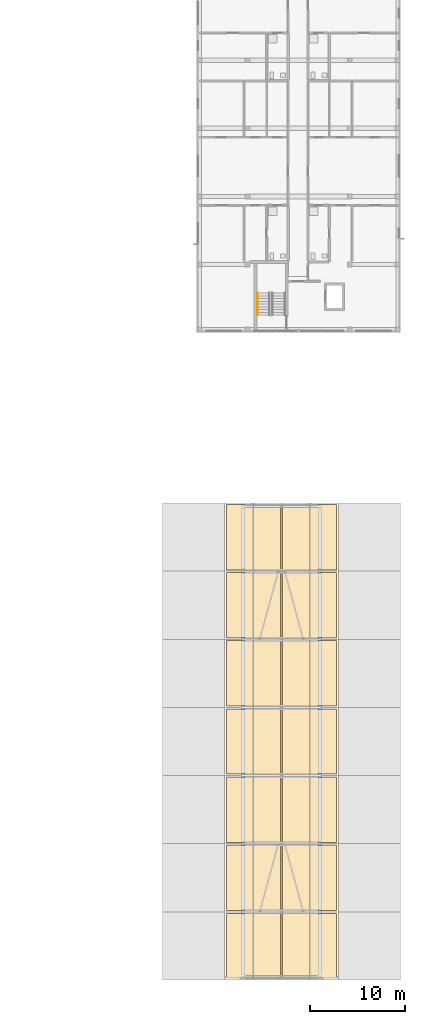
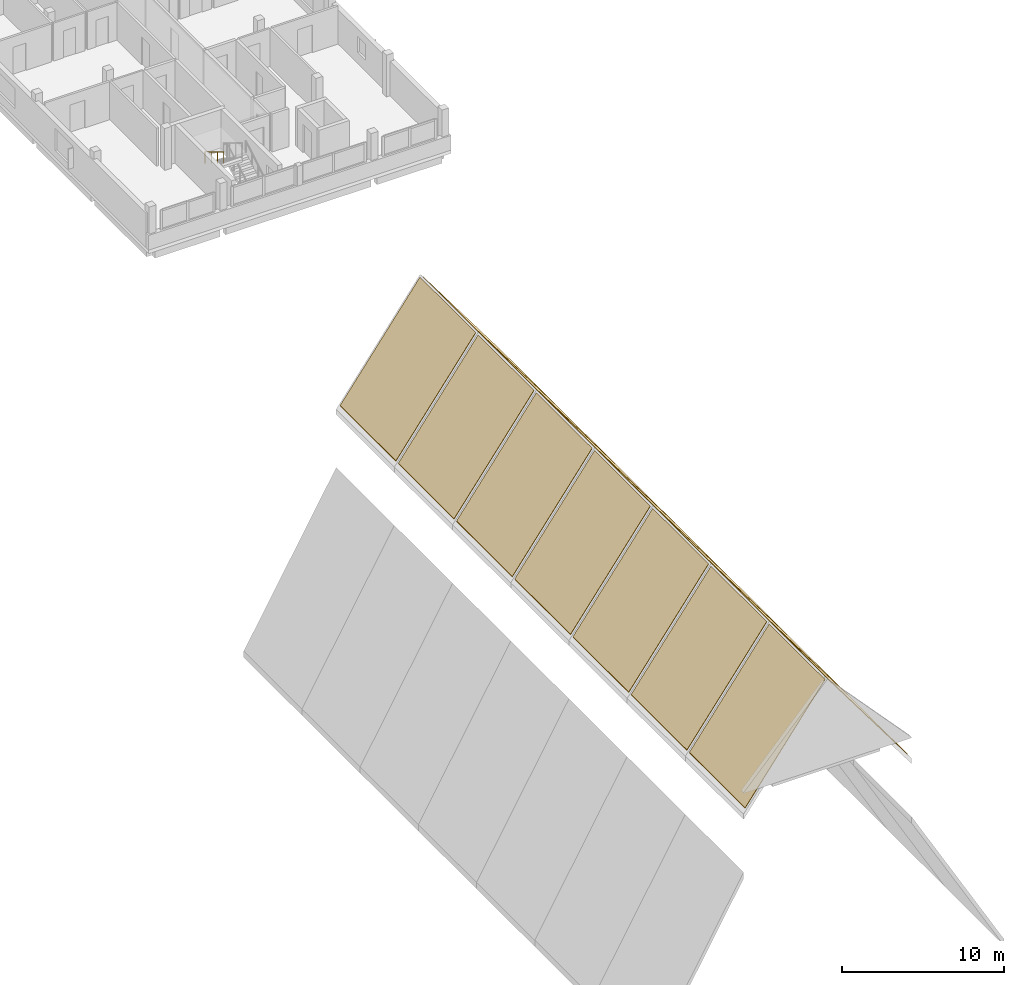
# One storey, part 25 of 29: 14 coverings, 1 railing.
"""IFC4 building model written with IfcOpenShell, lengths in metres."""

from ifc_helpers import new_model, si_unit, derived_unit, direction, frame, origin, origin_2d, place, context, subcontext, project, spatial, polyline, circle, outline, extrude, material, layer, layer_set, type_object, element, save


model = new_model("IFC4")

# Units and contexts
model_context = context("Model", 3, precision=1e-05, world=origin(), true_north=direction((0.0, 1.0)))
body_context = subcontext(model_context, "Body", "Model", "MODEL_VIEW")
ifc_project = project(units=[si_unit("LENGTHUNIT", "METRE"), si_unit("AREAUNIT", "SQUARE_METRE"), si_unit("VOLUMEUNIT", "CUBIC_METRE"), si_unit("PLANEANGLEUNIT", "RADIAN"), si_unit("MASSUNIT", "GRAM", prefix="KILO"), derived_unit("THERMALTRANSMITTANCEUNIT", [(si_unit("MASSUNIT", "GRAM", prefix="KILO"), 1), (si_unit("TIMEUNIT", "SECOND"), -3), (si_unit("THERMODYNAMICTEMPERATUREUNIT", "KELVIN"), -1)])], contexts=[model_context])

# Site, building, storey
site_placement = place(None, origin())
site = spatial("IfcSite", under=ifc_project, at=site_placement, CompositionType="ELEMENT")
building_placement = place(site_placement, origin())
building = spatial("IfcBuilding", under=site, at=building_placement, Name="Ochrekiln Boulevard Commons", CompositionType="ELEMENT")
storey_placement = place(building_placement, frame((0.0, 0.0, 37.27490234375)))
storey = spatial("IfcBuildingStorey", under=building, at=storey_placement, Name="L11", CompositionType="ELEMENT", Elevation=37.27490234375)

# Coverings
ifc_material_1 = material(Name="Crystalline silicon BIPV solar roof slate", Category="masonry")
ifc_layer = layer(ifc_material_1, 0.044921875)
ifc_layer_set = layer_set([ifc_layer], Name="Crystalline silicon BIPV solar roof slate")
covering_type = type_object("IfcCoveringType", Name="COV-ROOF-SOLAR", PredefinedType="ROOFING", material=ifc_layer_set)
for number, where, z_axis, x_axis, name in (
    (1, (154.39990234375, 7.050048828125, -1.8349609375), (0.0, -1.0, 0.0), (1.0, 0.0, 0.0), "Block C BIPV Solar Roof Array Bay 1W"),
    (2, (166.0, 0.14990234375, -1.8349609375), (0.0, 1.0, 0.0), (-1.0, 0.0, 0.0), "Block C BIPV Solar Roof Array Bay 1E"),
    (3, (154.39990234375, 14.25, -1.8349609375), (0.0, -1.0, 0.0), (1.0, 0.0, 0.0), "Block C BIPV Solar Roof Array Bay 2W"),
    (4, (166.0, 7.35009765625, -1.8349609375), (0.0, 1.0, 0.0), (-1.0, 0.0, 0.0), "Block C BIPV Solar Roof Array Bay 2E"),
    (5, (154.39990234375, 21.449951171875, -1.8349609375), (0.0, -1.0, 0.0), (1.0, 0.0, 0.0), "Block C BIPV Solar Roof Array Bay 3W"),
    (6, (166.0, 14.550048828125, -1.8349609375), (0.0, 1.0, 0.0), (-1.0, 0.0, 0.0), "Block C BIPV Solar Roof Array Bay 3E"),
    (7, (154.39990234375, 28.64990234375, -1.8349609375), (0.0, -1.0, 0.0), (1.0, 0.0, 0.0), "Block C BIPV Solar Roof Array Bay 4W"),
    (8, (166.0, 21.75, -1.8349609375), (0.0, 1.0, 0.0), (-1.0, 0.0, 0.0), "Block C BIPV Solar Roof Array Bay 4E"),
    (9, (154.39990234375, 35.85009765625, -1.8349609375), (0.0, -1.0, 0.0), (1.0, 0.0, 0.0), "Block C BIPV Solar Roof Array Bay 5W"),
    (10, (166.0, 28.949951171875, -1.8349609375), (0.0, 1.0, 0.0), (-1.0, 0.0, 0.0), "Block C BIPV Solar Roof Array Bay 5E"),
    (11, (154.39990234375, 43.050048828125, -1.8349609375), (0.0, -1.0, 0.0), (1.0, 0.0, 0.0), "Block C BIPV Solar Roof Array Bay 6W"),
    (12, (166.0, 36.14990234375, -1.8349609375), (0.0, 1.0, 0.0), (-1.0, 0.0, 0.0), "Block C BIPV Solar Roof Array Bay 6E"),
    (13, (154.39990234375, 50.25, -1.8349609375), (0.0, -1.0, 0.0), (1.0, 0.0, 0.0), "Block C BIPV Solar Roof Array Bay 7W"),
    (14, (166.0, 43.35009765625, -1.8349609375), (0.0, 1.0, 0.0), (-1.0, 0.0, 0.0), "Block C BIPV Solar Roof Array Bay 7E"),
):
    element("IfcCovering", number, at=place(storey_placement, frame(where, z_axis=z_axis, x_axis=x_axis)), inside=storey, type_object=covering_type, Name=name, PredefinedType="ROOFING", context=body_context, shape_type="SweptSolid", body=[
        extrude(outline(polyline([(0.0, 0.0), (5.699951171875, 7.695068359375), (5.699951171875, 7.619384765625), (0.0, -0.07568359375), (0.0, 0.0)])), origin(), (0.0, 0.0, 1.0), 6.89990234375),
    ])

# Railing
ifc_material_2 = material(Name="Brushed stainless steel 316 tubular railing", Category="steel")
railing_type = type_object("IfcRailingType", Name="RLG-HDR-900", PredefinedType="HANDRAIL", material=ifc_material_2)
railing_placement = place(storey_placement, frame((157.64990234375, 72.590087890625, 1.75)))
element("IfcRailing", 15, at=railing_placement, inside=storey, type_object=railing_type, Name="L11 ST-B1 stair handrail 2", PredefinedType="HANDRAIL", context=body_context, shape_type="SweptSolid", body=[
    extrude(circle(Radius=0.02392578125, at=origin_2d()), frame((0.0, 0.0, 0.8759765625), z_axis=(0.0, -0.856170481923, 0.516693435108), x_axis=(1.0, 0.0, 0.0)), (0.0, 0.0, 1.0), 2.709716796875),
    extrude(circle(Radius=0.02099609375, at=origin_2d()), origin(), (0.0, 0.0, 1.0), 0.851806640625),
    extrude(circle(Radius=0.02099609375, at=origin_2d()), frame((0.0, -0.7734375, 0.466796875)), (0.0, 0.0, 1.0), 0.851806640625),
    extrude(circle(Radius=0.02099609375, at=origin_2d()), frame((0.0, -1.546630859375, 0.933349609375)), (0.0, 0.0, 1.0), 0.851806640625),
    extrude(circle(Radius=0.02099609375, at=origin_2d()), frame((0.0, -2.320068359375, 1.400146484375)), (0.0, 0.0, 1.0), 0.851806640625),
])

save(model, "model.ifc")
